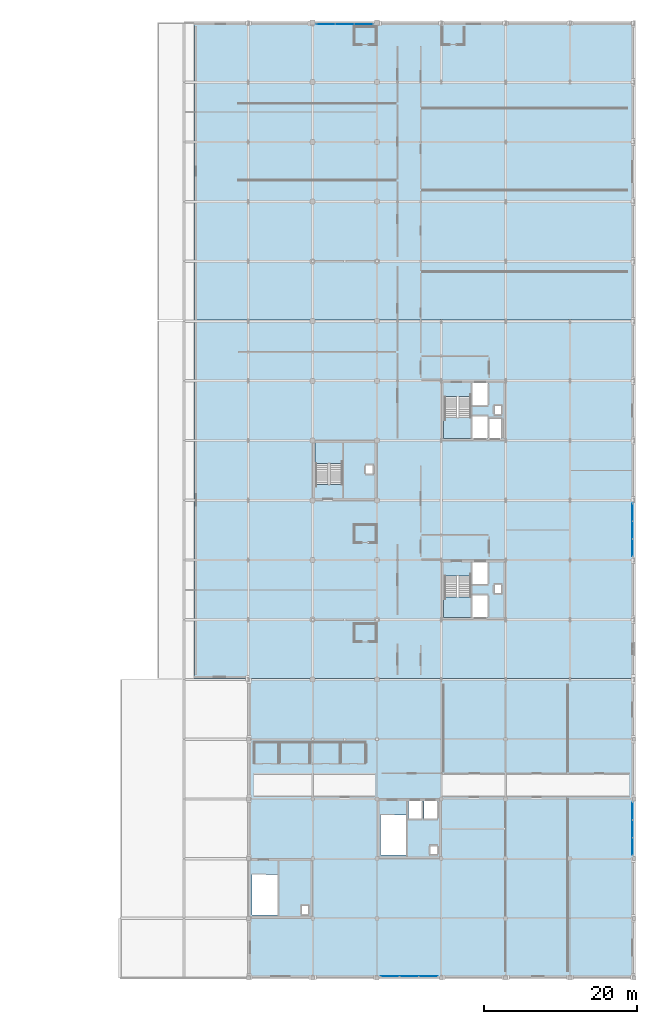
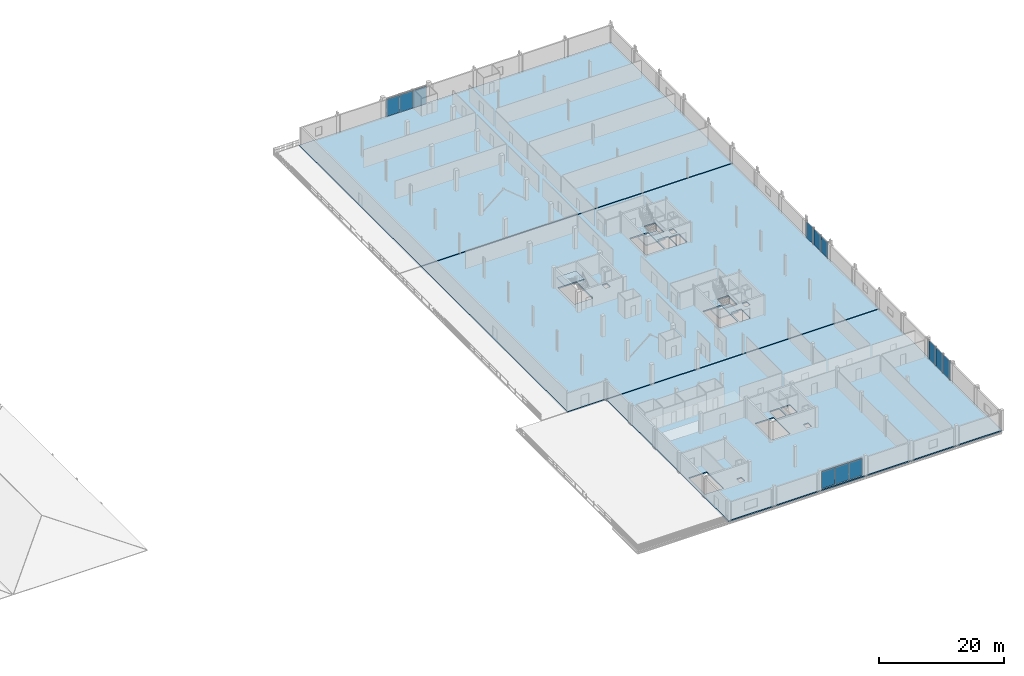
# One storey, part 18 of 41: 12 plates, 6 slabs, 7 elements without a shape of their own.
"""IFC4 building model written with IfcOpenShell, lengths in metres."""

import ifcopenshell
import ifcopenshell.guid

model = None  # the IFC model being written
_history = None  # IfcOwnerHistory: only IFC2X3 demands one
_inside = {}  # id of a spatial element -> (the spatial element, [elements in it])
_under = {}  # id of a project, library or spatial element -> (it, [spatial elements below it])
_declared = {}  # id of a project -> (the project, [libraries it declares])
_typed = {}  # id of a type object -> (the type object, [elements of that type])
_made_of = {}  # id of a material, layer set ... -> (it, [elements and type objects made of it])


def new_model(schema):
    """Start an empty IFC model of exactly this schema.

    Asked for "IFC4X3", IfcOpenShell would pick the latest addendum, in which some entities
    have other attributes; the version numbers below select the first issue.
    IFC2X3 requires an IfcOwnerHistory on every rooted entity: one is made here for all.
    """
    global model, _history
    if schema == "IFC4X3":
        model = ifcopenshell.file(schema_version=(4, 3, 0, 0))
    else:
        model = ifcopenshell.file(schema=schema)
    _inside.clear()
    _under.clear()
    _declared.clear()
    _typed.clear()
    _made_of.clear()
    _history = None
    if model.schema == "IFC2X3":
        org = make("IfcOrganization", Name="unknown")
        user = make(
            "IfcPersonAndOrganization",
            ThePerson=make("IfcPerson", FamilyName="unknown"),
            TheOrganization=org,
        )
        app = make(
            "IfcApplication",
            ApplicationDeveloper=org,
            Version="unknown",
            ApplicationFullName="unknown",
            ApplicationIdentifier="unknown",
        )
        _history = make(
            "IfcOwnerHistory",
            OwningUser=user,
            OwningApplication=app,
            ChangeAction="ADDED",
            CreationDate=0,
        )
    return model


def make(cls, **values):
    """One entity of the class cls with the attributes given. An attribute that is None is left unset."""
    return model.create_entity(
        cls, **{name: value for name, value in values.items() if value is not None}
    )


def rooted(cls, **values):
    """An entity with a GlobalId (a new one), such as an element, a storey or a relation."""
    return make(cls, GlobalId=ifcopenshell.guid.new(), OwnerHistory=_history, **values)


def si_unit(unit_type, name, prefix=None):
    """IfcSIUnit, for example si_unit("LENGTHUNIT", "METRE", prefix="MILLI")."""
    return make("IfcSIUnit", UnitType=unit_type, Prefix=prefix, Name=name)


def assignment(units):
    """IfcUnitAssignment: the units of a project."""
    return None if units is None else make("IfcUnitAssignment", Units=units)


def point(xyz):
    """IfcCartesianPoint."""
    return None if xyz is None else make("IfcCartesianPoint", Coordinates=xyz)


def direction(xyz):
    """IfcDirection."""
    return None if xyz is None else make("IfcDirection", DirectionRatios=xyz)


def frame(location, z_axis=None, x_axis=None):
    """IfcAxis2Placement3D, a coordinate frame: its origin and axes. An axis left out is left unset."""
    return make(
        "IfcAxis2Placement3D",
        Location=point(location),
        Axis=direction(z_axis),
        RefDirection=direction(x_axis),
    )


def frame_2d(location, x_axis=None):
    """IfcAxis2Placement2D, a coordinate frame in the plane: its origin and x axis."""
    return make(
        "IfcAxis2Placement2D", Location=point(location), RefDirection=direction(x_axis)
    )


def origin():
    """The frame at (0, 0, 0) with its axes left unset."""
    return frame((0.0, 0.0, 0.0))


def origin_2d():
    """The frame at (0, 0) in the plane with its x axis left unset."""
    return frame_2d((0.0, 0.0))


def place(relative_to, where):
    """IfcLocalPlacement: puts the frame where relative to a parent placement (None: the world)."""
    return make(
        "IfcLocalPlacement", PlacementRelTo=relative_to, RelativePlacement=where
    )


def context(
    kind, dimensions, precision=None, world=None, true_north=None, identifier=None
):
    """IfcGeometricRepresentationContext, for example the 3D "Model" context."""
    return make(
        "IfcGeometricRepresentationContext",
        ContextIdentifier=identifier,
        ContextType=kind,
        CoordinateSpaceDimension=dimensions,
        Precision=precision,
        WorldCoordinateSystem=world,
        TrueNorth=true_north,
    )


def subcontext(parent, identifier, kind, view, scale=None):
    """IfcGeometricRepresentationSubContext, for example "Body" below "Model"."""
    return make(
        "IfcGeometricRepresentationSubContext",
        ContextIdentifier=identifier,
        ContextType=kind,
        ParentContext=parent,
        TargetScale=scale,
        TargetView=view,
    )


def project(units=None, contexts=None):
    """IfcProject with its units and contexts."""
    return rooted(
        "IfcProject",
        Name="project",
        RepresentationContexts=contexts,
        UnitsInContext=assignment(units),
    )


def spatial(cls, under=None, at=None, **own):
    """A site, building, storey or space (cls), placed at a placement, below another one or the project."""
    s = rooted(cls, ObjectPlacement=at, **own)
    if under is not None:
        _under.setdefault(under.id(), (under, []))[1].append(s)
    return s


def polyline(points):
    """IfcPolyline through the points."""
    return make("IfcPolyline", Points=[point(p) for p in points])


def profile(cls, at=None, kind="AREA", **sizes):
    """A parametric profile (cls). Its sizes go by their IFC names, for example OverallWidth=200.0."""
    return make(cls, ProfileType=kind, Position=at, **sizes)


def rectangle(**sizes):
    """IfcRectangleProfileDef."""
    return profile("IfcRectangleProfileDef", **sizes)


def outline(outer, holes=None, kind="AREA"):
    """IfcArbitraryClosedProfileDef: a profile drawn as a closed curve; with holes, ...WithVoids."""
    if holes is None:
        return make("IfcArbitraryClosedProfileDef", ProfileType=kind, OuterCurve=outer)
    return make(
        "IfcArbitraryProfileDefWithVoids",
        ProfileType=kind,
        OuterCurve=outer,
        InnerCurves=holes,
    )


def extrude(swept, where, along, depth):
    """IfcExtrudedAreaSolid: the profile swept, set in the frame where, extruded along a direction by depth."""
    return make(
        "IfcExtrudedAreaSolid",
        SweptArea=swept,
        Position=where,
        ExtrudedDirection=direction(along),
        Depth=depth,
    )


def shape(context_of_items, identifier, shape_type, items):
    """IfcShapeRepresentation: the items that make up one representation, for example the "Body"."""
    return make(
        "IfcShapeRepresentation",
        ContextOfItems=context_of_items,
        RepresentationIdentifier=identifier,
        RepresentationType=shape_type,
        Items=items,
    )


def material(Name=None, Category=None):
    """IfcMaterial."""
    return make("IfcMaterial", Name=Name, Category=Category)


def layer(
    of_material, thickness, ventilated=None, Name=None, Category=None, Priority=None
):
    """IfcMaterialLayer: one layer of a wall or slab, of a material (None: an air gap)."""
    return make(
        "IfcMaterialLayer",
        Material=of_material,
        LayerThickness=thickness,
        IsVentilated=ventilated,
        Name=Name,
        Category=Category,
        Priority=Priority,
    )


def layer_set(layers, Name=None):
    """IfcMaterialLayerSet."""
    return make("IfcMaterialLayerSet", MaterialLayers=layers, LayerSetName=Name)


def made_of(thing, what):
    """Note that an element or type object is made of a material, layer set ...; save() writes the relation."""
    if what is not None:
        _made_of.setdefault(what.id(), (what, []))[1].append(thing)
    return thing


def type_object(cls, material=None, **own):
    """A type object (cls), such as IfcWallType, which elements share."""
    return made_of(rooted(cls, **own), material)


def element(
    cls,
    number,
    at=None,
    inside=None,
    cuts=None,
    type_object=None,
    material=None,
    context=None,
    identifier="Body",
    shape_type=None,
    held_by="IfcProductDefinitionShape",
    body=None,
    shapes=None,
    **own,
):
    """One element of the class cls, such as IfcWall. Its Tag is "e" and its number.

    at: its placement. inside: the storey or other place that contains it. cuts: it is an
    opening in that element (IfcRelVoidsElement). A single representation is given by context,
    identifier, shape_type and body (its items); several are given by shapes. held_by: the class
    of the entity that holds the representations. save() writes the other relations.
    """
    e = rooted(cls, Tag="e%d" % number, ObjectPlacement=at, **own)
    if body is not None:
        shapes = [shape(context, identifier, shape_type, body)]
    if shapes is not None:
        e.Representation = make(held_by, Representations=shapes)
    if inside is not None:
        _inside.setdefault(inside.id(), (inside, []))[1].append(e)
    if cuts is not None:
        rooted(
            "IfcRelVoidsElement", RelatingBuildingElement=cuts, RelatedOpeningElement=e
        )
    if type_object is not None:
        _typed.setdefault(type_object.id(), (type_object, []))[1].append(e)
    return made_of(e, material)


def aggregate(whole, parts):
    """IfcRelAggregates: a whole, such as a stair, and the parts it consists of."""
    return rooted("IfcRelAggregates", RelatingObject=whole, RelatedObjects=parts)


def save(model, path):
    """Write the relations noted so far, then the file.

    IfcRelAggregates (storeys below a building ...), IfcRelContainedInSpatialStructure (elements
    in a storey), IfcRelDefinesByType, IfcRelAssociatesMaterial and IfcRelDeclares: one each for
    every whole, place, type object, material and project.
    """
    for whole, parts in _under.values():
        aggregate(whole, parts)
    for where, things in _inside.values():
        rooted(
            "IfcRelContainedInSpatialStructure",
            RelatedElements=things,
            RelatingStructure=where,
        )
    for kind, things in _typed.values():
        rooted("IfcRelDefinesByType", RelatedObjects=things, RelatingType=kind)
    for what, things in _made_of.values():
        rooted("IfcRelAssociatesMaterial", RelatedObjects=things, RelatingMaterial=what)
    for by, libraries in _declared.values():
        rooted("IfcRelDeclares", RelatingContext=by, RelatedDefinitions=libraries)
    model.write(path)


model = new_model("IFC4")

# Units and contexts
model_context = context("Model", 3, precision=1e-05, world=origin(), true_north=direction((0.0, 1.0)))
body_context = subcontext(model_context, "Body", "Model", "MODEL_VIEW")
ifc_project = project(units=[si_unit("LENGTHUNIT", "METRE"), si_unit("AREAUNIT", "SQUARE_METRE"), si_unit("VOLUMEUNIT", "CUBIC_METRE"), si_unit("PLANEANGLEUNIT", "RADIAN"), si_unit("MASSUNIT", "GRAM", prefix="KILO")], contexts=[model_context])

# Site, building, storey
site_placement = place(None, origin())
site = spatial("IfcSite", under=ifc_project, at=site_placement, CompositionType="ELEMENT")
building_placement = place(site_placement, origin())
building = spatial("IfcBuilding", under=site, at=building_placement, Name="Nabrawat Pavilion Hospital", CompositionType="ELEMENT")
storey_placement = place(building_placement, frame((0.0, 0.0, 18.89990234375)))
storey = spatial("IfcBuildingStorey", under=building, at=storey_placement, Name="L04", CompositionType="ELEMENT", Elevation=18.89990234375)

# Slabs
ifc_material_1 = material(Name="Concrete C35/45", Category="concrete")
ifc_layer_1 = layer(ifc_material_1, 0.239990234375, Name="Concrete C35/45")
ifc_layer_set_1 = layer_set([ifc_layer_1], Name="Concrete C35/45")
slab_type_1 = type_object("IfcSlabType", Name="Composite Mid Ward Floor Slab 240", PredefinedType="FLOOR", material=ifc_layer_set_1)
slab_1_placement = place(storey_placement, frame((0.0, 0.0, -0.239990234375)))
element("IfcSlab", 1, at=slab_1_placement, inside=storey, type_object=slab_type_1, Name="L04 Structural Floor Slab P_L04_V6_S", PredefinedType="FLOOR", context=body_context, shape_type="SweptSolid", body=[
    extrude(outline(polyline([(135.719970703125, 39.1201171875), (193.199951171875, 39.1201171875), (193.199951171875, 85.800048828125), (135.719970703125, 85.800048828125), (135.719970703125, 39.1201171875)]), holes=[polyline([(175.8798828125, 73.10009765625), (175.8798828125, 70.5), (174.1201171875, 70.5), (174.1201171875, 73.10009765625), (175.8798828125, 73.10009765625)]), polyline([(174.949951171875, 50.25), (174.949951171875, 51.35009765625), (175.85009765625, 51.35009765625), (175.85009765625, 50.25), (174.949951171875, 50.25)]), polyline([(174.949951171875, 73.64990234375), (174.949951171875, 74.75), (175.85009765625, 74.75), (175.85009765625, 73.64990234375), (174.949951171875, 73.64990234375)]), polyline([(172.10009765625, 51.39990234375), (172.10009765625, 54.300048828125), (174.10009765625, 54.300048828125), (174.10009765625, 51.39990234375), (172.10009765625, 51.39990234375)]), polyline([(172.10009765625, 74.800048828125), (172.10009765625, 77.699951171875), (174.10009765625, 77.699951171875), (174.10009765625, 74.800048828125), (172.10009765625, 74.800048828125)]), polyline([(174.06005859375, 50.0), (174.06005859375, 47.10009765625), (172.10009765625, 47.10009765625), (172.10009765625, 50.0), (174.06005859375, 50.0)]), polyline([(172.10009765625, 70.5), (172.10009765625, 73.39990234375), (174.06005859375, 73.39990234375), (174.06005859375, 70.5), (172.10009765625, 70.5)]), polyline([(171.85009765625, 47.25), (168.449951171875, 47.25), (168.449951171875, 52.530029296875), (171.85009765625, 52.530029296875), (171.85009765625, 47.25)]), polyline([(171.85009765625, 70.64990234375), (168.449951171875, 70.64990234375), (168.449951171875, 75.929931640625), (171.85009765625, 75.929931640625), (171.85009765625, 70.64990234375)]), polyline([(159.050048828125, 66.949951171875), (159.050048828125, 65.85009765625), (158.14990234375, 65.85009765625), (158.14990234375, 66.949951171875), (159.050048828125, 66.949951171875)]), polyline([(155.050048828125, 64.469970703125), (151.64990234375, 64.469970703125), (151.64990234375, 69.75), (155.050048828125, 69.75), (155.050048828125, 64.469970703125)])]), origin(), (0.0, 0.0, 1.0), 0.239990234375),
])
slab_2_placement = place(storey_placement, frame((0.0, 0.0, -0.239990234375)))
element("IfcSlab", 2, at=slab_2_placement, inside=storey, type_object=slab_type_1, Name="L04 Structural Floor Slab P_L04_V6_N", PredefinedType="FLOOR", context=body_context, shape_type="SweptSolid", body=[
    extrude(outline(polyline([(193.199951171875, 85.919921875), (193.199951171875, 124.800048828125), (135.719970703125, 124.800048828125), (135.719970703125, 85.919921875), (193.199951171875, 85.919921875)])), origin(), (0.0, 0.0, 1.0), 0.239990234375),
])
ifc_layer_2 = layer(ifc_material_1, 0.22998046875, Name="Concrete C35/45")
ifc_layer_set_2 = layer_set([ifc_layer_2], Name="Concrete C35/45")
slab_type_2 = type_object("IfcSlabType", Name="Composite Outpatient Floor Slab 230", PredefinedType="FLOOR", material=ifc_layer_set_2)
slab_3_placement = place(storey_placement, frame((0.0, 0.0, -0.22998046875)))
element("IfcSlab", 3, at=slab_3_placement, inside=storey, type_object=slab_type_2, Name="L04 Structural Floor Slab P_L04_V5", PredefinedType="FLOOR", context=body_context, shape_type="SweptSolid", body=[
    extrude(outline(polyline([(142.800048828125, 0.0), (193.199951171875, 0.0), (193.199951171875, 39.0), (142.800048828125, 39.0), (142.800048828125, 0.0)]), holes=[polyline([(167.47998046875, 23.10009765625), (167.47998046875, 20.800048828125), (165.719970703125, 20.800048828125), (165.719970703125, 23.10009765625), (167.47998046875, 23.10009765625)]), polyline([(167.449951171875, 17.25), (167.449951171875, 16.14990234375), (166.550048828125, 16.14990234375), (166.550048828125, 17.25), (167.449951171875, 17.25)]), polyline([(165.4599609375, 23.10009765625), (165.4599609375, 20.800048828125), (163.699951171875, 20.800048828125), (163.699951171875, 23.10009765625), (165.4599609375, 23.10009765625)]), polyline([(160.050048828125, 21.330078125), (163.449951171875, 21.330078125), (163.449951171875, 16.050048828125), (160.050048828125, 16.050048828125), (160.050048828125, 21.330078125)]), polyline([(149.75, 8.35009765625), (149.75, 9.449951171875), (150.64990234375, 9.449951171875), (150.64990234375, 8.35009765625), (149.75, 8.35009765625)]), polyline([(146.64990234375, 8.25), (143.25, 8.25), (143.25, 13.530029296875), (146.64990234375, 13.530029296875), (146.64990234375, 8.25)])]), origin(), (0.0, 0.0, 1.0), 0.22998046875),
])

# Curtain wall, plates
ifc_material_2 = material(Name="Anodised Aluminium", Category="aluminium")
curtain_wall_type_1 = type_object("IfcCurtainWallType", Name="Inpatient Dayroom Bay Curtain Wall", PredefinedType="USERDEFINED", material=ifc_material_2)
curtain_wall_1_placement = place(storey_placement, origin())
curtain_wall_1 = element("IfcCurtainWall", 4, at=curtain_wall_1_placement, inside=storey, type_object=curtain_wall_type_1, Name="L04 Inpatient Dayroom Bay Curtain Wall 147", ObjectType="CURTAIN WALL", PredefinedType="USERDEFINED")
ifc_material_3 = material(Name="Double-Glazed Low-E Glass", Category="glass")
ifc_layer_3 = layer(ifc_material_3, 0.02587890625, Name="Double-Glazed Low-E Glass")
ifc_layer_set_3 = layer_set([ifc_layer_3], Name="Double-Glazed Low-E Glass")
plate_type_1 = type_object("IfcPlateType", Name="Inpatient Dayroom Bay Curtain Wall Low-E Solar Panel 26", PredefinedType="CURTAIN_PANEL", material=ifc_layer_set_3)
plate_1_placement = place(storey_placement, frame((152.945068359375, 124.580078125, 0.06005859375), z_axis=(0.0, 0.0, 1.0), x_axis=(1.0, 0.0, 0.0)))
plate_1 = element("IfcPlate", 5, at=plate_1_placement, type_object=plate_type_1, Name="CW-WRD-01 panel 1.1", PredefinedType="CURTAIN_PANEL", context=body_context, shape_type="SweptSolid", body=[
    extrude(rectangle(XDim=2.3798828125, YDim=0.02587890625, at=origin_2d()), origin(), (0.0, 0.0, 1.0), 3.39990234375),
])
plate_2_placement = place(storey_placement, frame((155.39990234375, 124.580078125, 0.06005859375), z_axis=(0.0, 0.0, 1.0), x_axis=(1.0, 0.0, 0.0)))
plate_2 = element("IfcPlate", 6, at=plate_2_placement, type_object=plate_type_1, Name="CW-WRD-01 panel 2.1", PredefinedType="CURTAIN_PANEL", context=body_context, shape_type="SweptSolid", body=[
    extrude(rectangle(XDim=2.409912109375, YDim=0.02587890625, at=origin_2d()), origin(), (0.0, 0.0, 1.0), 3.39990234375),
])
plate_3_placement = place(storey_placement, frame((157.85498046875, 124.580078125, 0.06005859375), z_axis=(0.0, 0.0, 1.0), x_axis=(1.0, 0.0, 0.0)))
plate_3 = element("IfcPlate", 7, at=plate_3_placement, type_object=plate_type_1, Name="CW-WRD-01 panel 3.1", PredefinedType="CURTAIN_PANEL", context=body_context, shape_type="SweptSolid", body=[
    extrude(rectangle(XDim=2.3798828125, YDim=0.02587890625, at=origin_2d()), origin(), (0.0, 0.0, 1.0), 3.39990234375),
])
aggregate(curtain_wall_1, [plate_1, plate_2, plate_3])

curtain_wall_2_placement = place(storey_placement, origin())
curtain_wall_2 = element("IfcCurtainWall", 8, at=curtain_wall_2_placement, inside=storey, type_object=curtain_wall_type_1, Name="L04 Inpatient Dayroom Bay Curtain Wall 150", ObjectType="CURTAIN WALL", PredefinedType="USERDEFINED")
plate_4_placement = place(storey_placement, frame((192.97998046875, 56.195068359375, 0.06005859375), z_axis=(0.0, 0.0, 1.0), x_axis=(0.0, 1.0, 0.0)))
plate_4 = element("IfcPlate", 9, at=plate_4_placement, type_object=plate_type_1, Name="CW-WRD-01 panel 1.1", PredefinedType="CURTAIN_PANEL", context=body_context, shape_type="SweptSolid", body=[
    extrude(rectangle(XDim=2.22998046875, YDim=0.02587890625, at=origin_2d()), origin(), (0.0, 0.0, 1.0), 3.1298828125),
])
plate_5_placement = place(storey_placement, frame((192.97998046875, 58.5, 0.06005859375), z_axis=(0.0, 0.0, 1.0), x_axis=(0.0, 1.0, 0.0)))
plate_5 = element("IfcPlate", 10, at=plate_5_placement, type_object=plate_type_1, Name="CW-WRD-01 panel 2.1", PredefinedType="CURTAIN_PANEL", context=body_context, shape_type="SweptSolid", body=[
    extrude(rectangle(XDim=2.260009765625, YDim=0.02587890625, at=origin_2d()), origin(), (0.0, 0.0, 1.0), 3.1298828125),
])
plate_6_placement = place(storey_placement, frame((192.97998046875, 60.804931640625, 0.06005859375), z_axis=(0.0, 0.0, 1.0), x_axis=(0.0, 1.0, 0.0)))
plate_6 = element("IfcPlate", 11, at=plate_6_placement, type_object=plate_type_1, Name="CW-WRD-01 panel 3.1", PredefinedType="CURTAIN_PANEL", context=body_context, shape_type="SweptSolid", body=[
    extrude(rectangle(XDim=2.22998046875, YDim=0.02587890625, at=origin_2d()), origin(), (0.0, 0.0, 1.0), 3.1298828125),
])
aggregate(curtain_wall_2, [plate_4, plate_5, plate_6])

curtain_wall_type_2 = type_object("IfcCurtainWallType", Name="Outpatient Boulevard Curtain Wall", PredefinedType="USERDEFINED", material=ifc_material_2)
curtain_wall_3_placement = place(storey_placement, origin())
curtain_wall_3 = element("IfcCurtainWall", 12, at=curtain_wall_3_placement, inside=storey, type_object=curtain_wall_type_2, Name="L04 Outpatient Boulevard Curtain Wall 148", ObjectType="CURTAIN WALL", PredefinedType="USERDEFINED")
ifc_layer_4 = layer(ifc_material_3, 0.02392578125, Name="Double-Glazed Low-E Glass")
ifc_layer_set_4 = layer_set([ifc_layer_4], Name="Double-Glazed Low-E Glass")
plate_type_2 = type_object("IfcPlateType", Name="Outpatient Boulevard Curtain Wall Low-E Solar Panel 24", PredefinedType="CURTAIN_PANEL", material=ifc_layer_set_4)
plate_7_placement = place(storey_placement, frame((161.294921875, 0.219970703125, 0.06005859375), z_axis=(0.0, 0.0, 1.0), x_axis=(1.0, 0.0, 0.0)))
plate_7 = element("IfcPlate", 13, at=plate_7_placement, type_object=plate_type_2, Name="CW-OPC-01 panel 1.1", PredefinedType="CURTAIN_PANEL", context=body_context, shape_type="SweptSolid", body=[
    extrude(rectangle(XDim=2.429931640625, YDim=0.02392578125, at=origin_2d()), origin(), (0.0, 0.0, 1.0), 3.320068359375),
])
plate_8_placement = place(storey_placement, frame((163.800048828125, 0.219970703125, 0.06005859375), z_axis=(0.0, 0.0, 1.0), x_axis=(1.0, 0.0, 0.0)))
plate_8 = element("IfcPlate", 14, at=plate_8_placement, type_object=plate_type_2, Name="CW-OPC-01 panel 2.1", PredefinedType="CURTAIN_PANEL", context=body_context, shape_type="SweptSolid", body=[
    extrude(rectangle(XDim=2.4599609375, YDim=0.02392578125, at=origin_2d()), origin(), (0.0, 0.0, 1.0), 3.320068359375),
])
plate_9_placement = place(storey_placement, frame((166.304931640625, 0.219970703125, 0.06005859375), z_axis=(0.0, 0.0, 1.0), x_axis=(1.0, 0.0, 0.0)))
plate_9 = element("IfcPlate", 15, at=plate_9_placement, type_object=plate_type_2, Name="CW-OPC-01 panel 3.1", PredefinedType="CURTAIN_PANEL", context=body_context, shape_type="SweptSolid", body=[
    extrude(rectangle(XDim=2.429931640625, YDim=0.02392578125, at=origin_2d()), origin(), (0.0, 0.0, 1.0), 3.320068359375),
])
aggregate(curtain_wall_3, [plate_7, plate_8, plate_9])

curtain_wall_4_placement = place(storey_placement, origin())
curtain_wall_4 = element("IfcCurtainWall", 16, at=curtain_wall_4_placement, inside=storey, type_object=curtain_wall_type_2, Name="L04 Outpatient Boulevard Curtain Wall 149", ObjectType="CURTAIN WALL", PredefinedType="USERDEFINED")
plate_10_placement = place(storey_placement, frame((192.97998046875, 17.195068359375, 0.06005859375), z_axis=(0.0, 0.0, 1.0), x_axis=(0.0, 1.0, 0.0)))
plate_10 = element("IfcPlate", 17, at=plate_10_placement, type_object=plate_type_2, Name="CW-OPC-01 panel 1.1", PredefinedType="CURTAIN_PANEL", context=body_context, shape_type="SweptSolid", body=[
    extrude(rectangle(XDim=2.22998046875, YDim=0.02392578125, at=origin_2d()), origin(), (0.0, 0.0, 1.0), 3.64990234375),
])
plate_11_placement = place(storey_placement, frame((192.97998046875, 19.5, 0.06005859375), z_axis=(0.0, 0.0, 1.0), x_axis=(0.0, 1.0, 0.0)))
plate_11 = element("IfcPlate", 18, at=plate_11_placement, type_object=plate_type_2, Name="CW-OPC-01 panel 2.1", PredefinedType="CURTAIN_PANEL", context=body_context, shape_type="SweptSolid", body=[
    extrude(rectangle(XDim=2.260009765625, YDim=0.02392578125, at=origin_2d()), origin(), (0.0, 0.0, 1.0), 3.64990234375),
])
plate_12_placement = place(storey_placement, frame((192.97998046875, 21.804931640625, 0.06005859375), z_axis=(0.0, 0.0, 1.0), x_axis=(0.0, 1.0, 0.0)))
plate_12 = element("IfcPlate", 19, at=plate_12_placement, type_object=plate_type_2, Name="CW-OPC-01 panel 3.1", PredefinedType="CURTAIN_PANEL", context=body_context, shape_type="SweptSolid", body=[
    extrude(rectangle(XDim=2.22998046875, YDim=0.02392578125, at=origin_2d()), origin(), (0.0, 0.0, 1.0), 3.64990234375),
])
aggregate(curtain_wall_4, [plate_10, plate_11, plate_12])

# Stair, slab
stair_type = type_object("IfcStairType", Name="Ward Upper Dogleg Escape Stair Assembly", PredefinedType="HALF_TURN_STAIR", material=ifc_material_1)
stair_1_placement = place(storey_placement, origin())
stair_1 = element("IfcStair", 20, at=stair_1_placement, inside=storey, type_object=stair_type, Name="L04 Inpatient South Firefighting Core 5", PredefinedType="HALF_TURN_STAIR")
ifc_layer_5 = layer(ifc_material_1, 0.199951171875, Name="Concrete C35/45")
ifc_layer_set_5 = layer_set([ifc_layer_5], Name="Concrete C35/45")
slab_type_3 = type_object("IfcSlabType", Name="Reinforced Concrete Stair Half-Landing 200", PredefinedType="LANDING", material=ifc_layer_set_5)
slab_4_placement = place(storey_placement, frame((0.0, 0.0, 1.8251953125)))
slab_4 = element("IfcSlab", 21, at=slab_4_placement, type_object=slab_type_3, Name="ST-05 landing 1", PredefinedType="LANDING", context=body_context, shape_type="SweptSolid", body=[
    extrude(outline(polyline([(171.8701171875, 47.080078125), (171.8701171875, 49.780029296875), (168.280029296875, 49.780029296875), (168.280029296875, 47.080078125), (171.8701171875, 47.080078125)])), origin(), (0.0, 0.0, 1.0), 0.199951171875),
])
aggregate(stair_1, [slab_4])

stair_2_placement = place(storey_placement, origin())
stair_2 = element("IfcStair", 22, at=stair_2_placement, inside=storey, type_object=stair_type, Name="L04 Inpatient North Firefighting Core 6", PredefinedType="HALF_TURN_STAIR")
slab_5_placement = place(storey_placement, frame((0.0, 0.0, 1.8251953125)))
slab_5 = element("IfcSlab", 23, at=slab_5_placement, type_object=slab_type_3, Name="ST-06 landing 1", PredefinedType="LANDING", context=body_context, shape_type="SweptSolid", body=[
    extrude(outline(polyline([(171.8701171875, 70.47998046875), (171.8701171875, 73.179931640625), (168.280029296875, 73.179931640625), (168.280029296875, 70.47998046875), (171.8701171875, 70.47998046875)])), origin(), (0.0, 0.0, 1.0), 0.199951171875),
])
aggregate(stair_2, [slab_5])

stair_3_placement = place(storey_placement, origin())
stair_3 = element("IfcStair", 24, at=stair_3_placement, inside=storey, type_object=stair_type, Name="L04 Inpatient West Escape Stair Core 9", PredefinedType="HALF_TURN_STAIR")
slab_6_placement = place(storey_placement, frame((0.0, 0.0, 1.8251953125)))
slab_6 = element("IfcSlab", 25, at=slab_6_placement, type_object=slab_type_3, Name="ST-09 landing 1", PredefinedType="LANDING", context=body_context, shape_type="SweptSolid", body=[
    extrude(outline(polyline([(155.070068359375, 67.219970703125), (155.070068359375, 69.919921875), (151.47998046875, 69.919921875), (151.47998046875, 67.219970703125), (155.070068359375, 67.219970703125)])), origin(), (0.0, 0.0, 1.0), 0.199951171875),
])
aggregate(stair_3, [slab_6])

save(model, "model.ifc")
